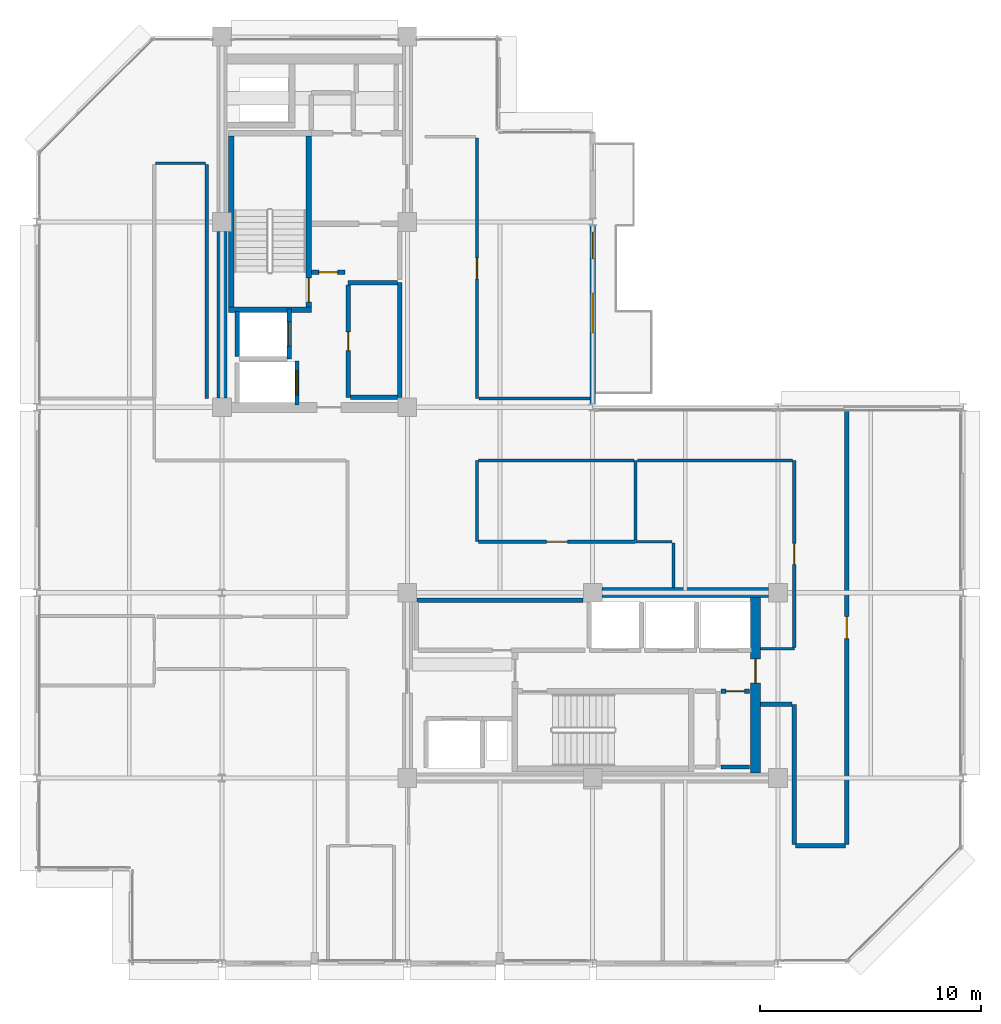
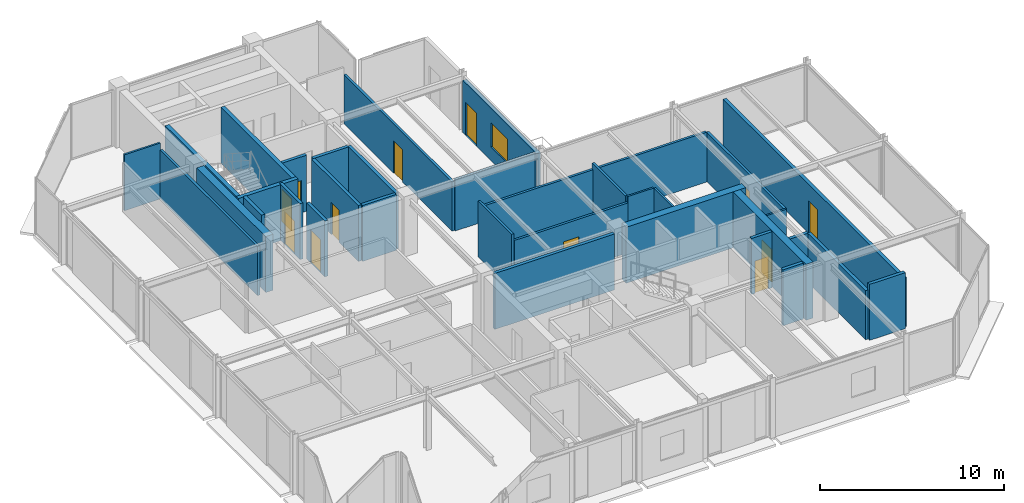
# One storey, part 22 of 27: 35 walls, 12 doors, 1 window, 13 openings.
"""IFC4 building model written with IfcOpenShell, lengths in metres."""

from ifc_helpers import new_model, si_unit, direction, frame, frame_2d, origin, place, context, subcontext, project, spatial, rectangle, extrude, material, layer, layer_set, type_object, element, fill, save


model = new_model("IFC4")

# Units and contexts
model_context = context("Model", 3, precision=1e-05, world=origin(), true_north=direction((0.0, 1.0)))
body_context = subcontext(model_context, "Body", "Model", "MODEL_VIEW")
ifc_project = project(units=[si_unit("LENGTHUNIT", "METRE"), si_unit("AREAUNIT", "SQUARE_METRE"), si_unit("VOLUMEUNIT", "CUBIC_METRE"), si_unit("PLANEANGLEUNIT", "RADIAN"), si_unit("MASSUNIT", "GRAM", prefix="KILO")], contexts=[model_context])

# Site, building, storey
site_placement = place(None, origin())
site = spatial("IfcSite", under=ifc_project, at=site_placement, CompositionType="ELEMENT")
building_placement = place(site_placement, origin())
building = spatial("IfcBuilding", under=site, at=building_placement, Name="Nerrivon Quay Data Exchange", CompositionType="ELEMENT")
storey_placement = place(building_placement, frame((0.0, 0.0, 266.199951171875)))
storey = spatial("IfcBuildingStorey", under=building, at=storey_placement, Name="L63", CompositionType="ELEMENT", Elevation=266.199951171875)

# Wall, openings, door, window
ifc_material_1 = material(Name="Architectural terracotta precast concrete N50 (50 MPa)", Category="masonry")
ifc_layer_1 = layer(ifc_material_1, 0.239990234375)
ifc_layer_set_1 = layer_set([ifc_layer_1], Name="Architectural terracotta precast concrete N50 (50 MPa)")
wall_type_1 = type_object("IfcWallType", Name="EW-PREC-240", PredefinedType="STANDARD", material=ifc_layer_set_1)
wall_1_placement = place(storey_placement, frame((25.199951171875, 33.4365234375, 0.0), z_axis=(0.0, 0.0, 1.0), x_axis=(0.0, -1.0, 0.0)))
wall_1 = element("IfcWall", 1, at=wall_1_placement, inside=storey, type_object=wall_type_1, Name="L63 Terrace Host Wall 23", PredefinedType="STANDARD", context=body_context, shape_type="SweptSolid", body=[
    extrude(rectangle(XDim=8.072998046875, YDim=0.239990234375, at=frame_2d((4.03662109375, 0.0))), origin(), (0.0, 0.0, 1.0), 3.47509765625),
])
opening_1_placement = place(wall_1_placement, frame((0.300048828125, 0.0, 0.0)))
opening_1 = element("IfcOpeningElement", 2, at=opening_1_placement, cuts=wall_1, Name="Opening TD1", PredefinedType="OPENING", context=body_context, shape_type="SweptSolid", body=[
    extrude(rectangle(XDim=1.199951171875, YDim=2.199951171875, at=frame_2d((0.60009765625, 1.10009765625))), frame((0.0, 0.1298828125, 0.0), z_axis=(0.0, -1.0, 0.0), x_axis=(1.0, 0.0, 0.0)), (0.0, 0.0, 1.0), 0.260009765625),
])
opening_2_placement = place(wall_1_placement, frame((3.064208984375, 0.0, 0.89990234375)))
opening_2 = element("IfcOpeningElement", 3, at=opening_2_placement, cuts=wall_1, Name="Opening WN2", PredefinedType="OPENING", context=body_context, shape_type="SweptSolid", body=[
    extrude(rectangle(XDim=1.800048828125, YDim=1.60009765625, at=frame_2d((0.89990234375, 0.800048828125))), frame((0.0, 0.1298828125, 0.0), z_axis=(0.0, -1.0, 0.0), x_axis=(1.0, 0.0, 0.0)), (0.0, 0.0, 1.0), 0.260009765625),
])
ifc_material_2 = material(Name="Double-glazed low-E solar control glass", Category="glass")
door_type_1 = type_object("IfcDoorType", Name="DR-TERR-1200x2200", OperationType="NOTDEFINED", PredefinedType="DOOR", material=ifc_material_2)
door_1_placement = place(opening_1_placement, origin())
door_1 = element("IfcDoor", 4, at=door_1_placement, inside=storey, type_object=door_type_1, Name="L63 Outdoor Terrace Access Door 23", OperationType="SINGLE_SWING_RIGHT", OverallHeight=2.199951171875, OverallWidth=1.199951171875, PredefinedType="DOOR", context=body_context, shape_type="SweptSolid", body=[
    extrude(rectangle(XDim=1.199951171875, YDim=2.199951171875, at=frame_2d((0.60009765625, 1.10009765625))), frame((0.0, 0.02490234375, 0.0), z_axis=(0.0, -1.0, 0.0), x_axis=(1.0, 0.0, 0.0)), (0.0, 0.0, 1.0), 0.050048828125),
])
fill(opening_1, door_1)
window_type = type_object("IfcWindowType", Name="WIN-W2-1800x1600", PartitioningType="SINGLE_PANEL", PredefinedType="WINDOW", material=ifc_material_2)
window_placement = place(opening_2_placement, origin())
window = element("IfcWindow", 5, at=window_placement, inside=storey, type_object=window_type, Name="L63 Terrace Side Window 23", OverallHeight=1.60009765625, OverallWidth=1.800048828125, PartitioningType="SINGLE_PANEL", PredefinedType="WINDOW", context=body_context, shape_type="SweptSolid", body=[
    extrude(rectangle(XDim=1.800048828125, YDim=1.60009765625, at=frame_2d((0.89990234375, 0.800048828125))), frame((0.0, 0.030029296875, 0.0), z_axis=(0.0, -1.0, 0.0), x_axis=(1.0, 0.0, 0.0)), (0.0, 0.0, 1.0), 0.06005859375),
])
fill(opening_2, window)

# Wall
ifc_material_3 = material(Name="Concrete N50 (50 MPa)", Category="concrete")
ifc_layer_2 = layer(ifc_material_3, 0.449951171875)
ifc_layer_set_2 = layer_set([ifc_layer_2], Name="Concrete N50 (50 MPa)")
wall_type_2 = type_object("IfcWallType", Name="WALL-CW-550", PredefinedType="SHEAR", material=ifc_layer_set_2)
wall_2_placement = place(storey_placement, frame((8.39990234375, 25.625, 0.0), z_axis=(0.0, 0.0, 1.0), x_axis=(0.0, 1.0, 0.0)))
element("IfcWall", 6, at=wall_2_placement, inside=storey, type_object=wall_type_2, Name="L63 West Split-Core Shear Wall WCW-W1", PredefinedType="SHEAR", context=body_context, shape_type="SweptSolid", body=[
    extrude(rectangle(XDim=7.550048828125, YDim=0.449951171875, at=frame_2d((3.77490234375, 0.0))), origin(), (0.0, 0.0, 1.0), 3.72509765625),
])

# Wall, opening, door
wall_3_placement = place(storey_placement, frame((32.574951171875, 8.625, 0.0), z_axis=(0.0, 0.0, 1.0), x_axis=(0.0, 1.0, 0.0)))
wall_3 = element("IfcWall", 7, at=wall_3_placement, inside=storey, type_object=wall_type_2, Name="L63 East Split-Core Shear Wall ECW-E1", PredefinedType="SHEAR", context=body_context, shape_type="SweptSolid", body=[
    extrude(rectangle(XDim=7.949951171875, YDim=0.449951171875, at=frame_2d((3.97509765625, 0.0))), origin(), (0.0, 0.0, 1.0), 3.72509765625),
])
opening_3_placement = place(wall_3_placement, frame((4.074951171875, 0.0, 0.0)))
opening_3 = element("IfcOpeningElement", 8, at=opening_3_placement, cuts=wall_3, Name="Opening FD-120", PredefinedType="OPENING", context=body_context, shape_type="SweptSolid", body=[
    extrude(rectangle(XDim=1.10009765625, YDim=2.14990234375, at=frame_2d((0.550048828125, 1.074951171875))), frame((0.0, 0.23486328125, 0.0), z_axis=(0.0, -1.0, 0.0), x_axis=(1.0, 0.0, 0.0)), (0.0, 0.0, 1.0), 0.469970703125),
])
ifc_material_4 = material(Name="Powder-coated galvanized steel sheet", Category="steel")
door_type_2 = type_object("IfcDoorType", Name="DR-FD120-1100", OperationType="NOTDEFINED", PredefinedType="DOOR", material=ifc_material_4)
door_2_placement = place(opening_3_placement, origin())
door_2 = element("IfcDoor", 9, at=door_2_placement, inside=storey, type_object=door_type_2, Name="L63 East Core Lobby Fire Door", OperationType="SINGLE_SWING_LEFT", OverallHeight=2.14990234375, OverallWidth=1.10009765625, PredefinedType="DOOR", context=body_context, shape_type="SweptSolid", body=[
    extrude(rectangle(XDim=1.10009765625, YDim=2.14990234375, at=frame_2d((0.550048828125, 1.074951171875))), frame((0.0, 0.02490234375, 0.0), z_axis=(0.0, -1.0, 0.0), x_axis=(1.0, 0.0, 0.0)), (0.0, 0.0, 1.0), 0.050048828125),
])
fill(opening_3, door_2)

# Wall
wall_4_placement = place(storey_placement, frame((25.625, 16.800048828125, 0.0), z_axis=(0.0, 0.0, 1.0), x_axis=(1.0, 0.0, 0.0)))
element("IfcWall", 10, at=wall_4_placement, inside=storey, type_object=wall_type_2, Name="L63 East Split-Core Shear Wall ECW-N1", PredefinedType="SHEAR", context=body_context, shape_type="SweptSolid", body=[
    extrude(rectangle(XDim=7.550048828125, YDim=0.449951171875, at=frame_2d((3.77490234375, 0.0))), origin(), (0.0, 0.0, 1.0), 3.72509765625),
])

# Wall, opening, door
ifc_material_5 = material(Name="Gypsum plasterboard on cold-formed framing", Category="gypsum")
ifc_layer_3 = layer(ifc_material_5, 0.199951171875)
ifc_layer_set_3 = layer_set([ifc_layer_3], Name="Gypsum plasterboard on cold-formed framing")
wall_type_3 = type_object("IfcWallType", Name="WALL-FW-200", PredefinedType="PARTITIONING", material=ifc_layer_set_3)
wall_5_placement = place(storey_placement, frame((11.449951171875, 27.39990234375, 0.0), z_axis=(0.0, 0.0, 1.0), x_axis=(0.0, 1.0, 0.0)))
wall_5 = element("IfcWall", 11, at=wall_5_placement, inside=storey, type_object=wall_type_3, Name="L63 Lift Front Wall FFL-1", PredefinedType="PARTITIONING", context=body_context, shape_type="SweptSolid", body=[
    extrude(rectangle(XDim=2.25, YDim=0.199951171875, at=frame_2d((1.125, 0.0))), origin(), (0.0, 0.0, 1.0), 3.72509765625),
])
opening_4_placement = place(wall_5_placement, frame((0.574951171875, 0.0, 0.0)))
opening_4 = element("IfcOpeningElement", 12, at=opening_4_placement, cuts=wall_5, Name="Opening LD-120", PredefinedType="OPENING", context=body_context, shape_type="SweptSolid", body=[
    extrude(rectangle(XDim=1.10009765625, YDim=2.199951171875, at=frame_2d((0.550048828125, 1.10009765625))), frame((0.0, 0.10986328125, 0.0), z_axis=(0.0, -1.0, 0.0), x_axis=(1.0, 0.0, 0.0)), (0.0, 0.0, 1.0), 0.219970703125),
])
door_type_3 = type_object("IfcDoorType", Name="DR-LIFT-LD120", OperationType="DOUBLE_DOOR_SLIDING", PredefinedType="DOOR", material=ifc_material_4)
door_3_placement = place(opening_4_placement, origin())
door_3 = element("IfcDoor", 13, at=door_3_placement, inside=storey, type_object=door_type_3, Name="L63 Lift Landing Sliding Door FFL-1", OperationType="DOUBLE_DOOR_SLIDING", OverallHeight=2.199951171875, OverallWidth=1.10009765625, PredefinedType="DOOR", context=body_context, shape_type="SweptSolid", body=[
    extrude(rectangle(XDim=1.10009765625, YDim=2.199951171875, at=frame_2d((0.550048828125, 1.10009765625))), frame((0.0, 0.02490234375, 0.0), z_axis=(0.0, -1.0, 0.0), x_axis=(1.0, 0.0, 0.0)), (0.0, 0.0, 1.0), 0.050048828125),
])
fill(opening_4, door_3)

# Wall
wall_6_placement = place(storey_placement, frame((9.10009765625, 27.5, 0.0), z_axis=(0.0, 0.0, 1.0), x_axis=(0.0, 1.0, 0.0)))
element("IfcWall", 14, at=wall_6_placement, inside=storey, type_object=wall_type_3, Name="L63 Lift Shaft Wall FFL-1 WEST", PredefinedType="PARTITIONING", context=body_context, shape_type="SweptSolid", body=[
    extrude(rectangle(XDim=2.050048828125, YDim=0.199951171875, at=frame_2d((1.02490234375, 0.0))), origin(), (0.0, 0.0, 1.0), 3.72509765625),
])

# Wall, opening, door
wall_7_placement = place(storey_placement, frame((11.800048828125, 25.300048828125, 0.0), z_axis=(0.0, 0.0, 1.0), x_axis=(0.0, 1.0, 0.0)))
wall_7 = element("IfcWall", 15, at=wall_7_placement, inside=storey, type_object=wall_type_3, Name="L63 Lift Front Wall SVL-1", PredefinedType="PARTITIONING", context=body_context, shape_type="SweptSolid", body=[
    extrude(rectangle(XDim=2.0, YDim=0.199951171875, at=frame_2d((1.0, 0.0))), origin(), (0.0, 0.0, 1.0), 3.72509765625),
])
opening_5_placement = place(wall_7_placement, frame((0.449951171875, 0.0, 0.0)))
opening_5 = element("IfcOpeningElement", 16, at=opening_5_placement, cuts=wall_7, Name="Opening LD-120", PredefinedType="OPENING", context=body_context, shape_type="SweptSolid", body=[
    extrude(rectangle(XDim=1.10009765625, YDim=2.199951171875, at=frame_2d((0.550048828125, 1.10009765625))), frame((0.0, 0.10986328125, 0.0), z_axis=(0.0, -1.0, 0.0), x_axis=(1.0, 0.0, 0.0)), (0.0, 0.0, 1.0), 0.219970703125),
])
door_4_placement = place(opening_5_placement, origin())
door_4 = element("IfcDoor", 17, at=door_4_placement, inside=storey, type_object=door_type_3, Name="L63 Lift Landing Sliding Door SVL-1", OperationType="DOUBLE_DOOR_SLIDING", OverallHeight=2.199951171875, OverallWidth=1.10009765625, PredefinedType="DOOR", context=body_context, shape_type="SweptSolid", body=[
    extrude(rectangle(XDim=1.10009765625, YDim=2.199951171875, at=frame_2d((0.550048828125, 1.10009765625))), frame((0.0, 0.02490234375, 0.0), z_axis=(0.0, -1.0, 0.0), x_axis=(1.0, 0.0, 0.0)), (0.0, 0.0, 1.0), 0.050048828125),
])
fill(opening_5, door_4)

# Walls
wall_8_placement = place(storey_placement, frame((16.449951171875, 25.64990234375, 0.0), z_axis=(0.0, 0.0, 1.0), x_axis=(0.0, 1.0, 0.0)))
element("IfcWall", 18, at=wall_8_placement, inside=storey, type_object=wall_type_3, Name="L63 Partition Fibre Patch Store", PredefinedType="PARTITIONING", context=body_context, shape_type="SweptSolid", body=[
    extrude(rectangle(XDim=5.2001953125, YDim=0.199951171875, at=frame_2d((2.60009765625, 0.0))), origin(), (0.0, 0.0, 1.0), 3.72509765625),
])
wall_9_placement = place(storey_placement, frame((16.345947265625, 30.85009765625, 0.0), z_axis=(0.0, 0.0, 1.0), x_axis=(-1.0, 0.0, 0.0)))
element("IfcWall", 19, at=wall_9_placement, inside=storey, type_object=wall_type_3, Name="L63 Partition Fibre Patch Store", PredefinedType="PARTITIONING", context=body_context, shape_type="SweptSolid", body=[
    extrude(rectangle(XDim=2.225830078125, YDim=0.199951171875, at=frame_2d((1.11279296875, 0.0))), origin(), (0.0, 0.0, 1.0), 3.72509765625),
])

# Wall, opening, door
wall_10_placement = place(storey_placement, frame((14.1201171875, 30.74609375, 0.0), z_axis=(0.0, 0.0, 1.0), x_axis=(0.0, -1.0, 0.0)))
wall_10 = element("IfcWall", 20, at=wall_10_placement, inside=storey, type_object=wall_type_3, Name="L63 Partition Fibre Patch Store", PredefinedType="PARTITIONING", context=body_context, shape_type="SweptSolid", body=[
    extrude(rectangle(XDim=5.09619140625, YDim=0.199951171875, at=frame_2d((2.548095703125, 0.0))), origin(), (0.0, 0.0, 1.0), 3.72509765625),
])
opening_6_placement = place(wall_10_placement, frame((2.123046875, 0.0, 0.0)))
opening_6 = element("IfcOpeningElement", 21, at=opening_6_placement, cuts=wall_10, Name="Opening FD-60S", PredefinedType="OPENING", context=body_context, shape_type="SweptSolid", body=[
    extrude(rectangle(XDim=0.85009765625, YDim=2.14990234375, at=frame_2d((0.425048828125, 1.074951171875))), frame((0.0, 0.10986328125, 0.0), z_axis=(0.0, -1.0, 0.0), x_axis=(1.0, 0.0, 0.0)), (0.0, 0.0, 1.0), 0.219970703125),
])
ifc_material_6 = material(Name="Engineered hardwood timber", Category="wood")
door_type_4 = type_object("IfcDoorType", Name="DR-FD60-850", OperationType="NOTDEFINED", PredefinedType="DOOR", material=ifc_material_6)
door_5_placement = place(opening_6_placement, origin())
door_5 = element("IfcDoor", 22, at=door_5_placement, inside=storey, type_object=door_type_4, Name="L63 Door Fibre Patch Store", OperationType="SINGLE_SWING_LEFT", OverallHeight=2.14990234375, OverallWidth=0.85009765625, PredefinedType="DOOR", context=body_context, shape_type="SweptSolid", body=[
    extrude(rectangle(XDim=0.85009765625, YDim=2.14990234375, at=frame_2d((0.425048828125, 1.074951171875))), frame((0.0, 0.02490234375, 0.0), z_axis=(0.0, -1.0, 0.0), x_axis=(1.0, 0.0, 0.0)), (0.0, 0.0, 1.0), 0.050048828125),
])
fill(opening_6, door_5)

# Wall
wall_11_placement = place(storey_placement, frame((14.22412109375, 25.64990234375, 0.0), z_axis=(0.0, 0.0, 1.0), x_axis=(1.0, 0.0, 0.0)))
element("IfcWall", 23, at=wall_11_placement, inside=storey, type_object=wall_type_3, Name="L63 Partition Fibre Patch Store", PredefinedType="PARTITIONING", context=body_context, shape_type="SweptSolid", body=[
    extrude(rectangle(XDim=2.121826171875, YDim=0.199951171875, at=frame_2d((1.06103515625, 0.0))), origin(), (0.0, 0.0, 1.0), 3.72509765625),
])

# Wall, opening, door
wall_12_placement = place(storey_placement, frame((12.4541015625, 31.320068359375, 0.0), z_axis=(0.0, 0.0, 1.0), x_axis=(0.999999949061, -0.000319182876, 0.0)))
wall_12 = element("IfcWall", 24, at=wall_12_placement, inside=storey, type_object=wall_type_3, Name="L63 Partition Core Equipment Closet", PredefinedType="PARTITIONING", context=body_context, shape_type="SweptSolid", body=[
    extrude(rectangle(XDim=1.52978515625, YDim=0.199951171875, at=frame_2d((0.764892578125, 0.0))), origin(), (0.0, 0.0, 1.0), 3.72509765625),
])
opening_7_placement = place(wall_12_placement, frame((0.340087890625, 0.0, 0.0)))
opening_7 = element("IfcOpeningElement", 25, at=opening_7_placement, cuts=wall_12, Name="Opening FD-60S", PredefinedType="OPENING", context=body_context, shape_type="SweptSolid", body=[
    extrude(rectangle(XDim=0.85009765625, YDim=2.14990234375, at=frame_2d((0.425048828125, 1.074951171875))), frame((0.0, 0.10986328125, 0.0), z_axis=(0.0, -1.0, 0.0), x_axis=(1.0, 0.0, 0.0)), (0.0, 0.0, 1.0), 0.219970703125),
])
door_6_placement = place(opening_7_placement, origin())
door_6 = element("IfcDoor", 26, at=door_6_placement, inside=storey, type_object=door_type_4, Name="L63 Door Core Equipment Closet", OperationType="SINGLE_SWING_RIGHT", OverallHeight=2.14990234375, OverallWidth=0.85009765625, PredefinedType="DOOR", context=body_context, shape_type="SweptSolid", body=[
    extrude(rectangle(XDim=0.85009765625, YDim=2.14990234375, at=frame_2d((0.425048828125, 1.074951171875))), frame((0.0, 0.02490234375, 0.0), z_axis=(0.0, -1.0, 0.0), x_axis=(1.0, 0.0, 0.0)), (0.0, 0.0, 1.0), 0.050048828125),
])
fill(opening_7, door_6)

# Wall
wall_13_placement = place(storey_placement, frame((24.77001953125, 16.449951171875, 0.0), z_axis=(0.0, 0.0, 1.0), x_axis=(-1.0, 0.0, 0.0)))
element("IfcWall", 27, at=wall_13_placement, inside=storey, type_object=wall_type_3, Name="L63 Partition High-Zone Patching Archive", PredefinedType="PARTITIONING", context=body_context, shape_type="SweptSolid", body=[
    extrude(rectangle(XDim=7.5400390625, YDim=0.199951171875, at=frame_2d((3.77001953125, 0.0))), origin(), (0.0, 0.0, 1.0), 3.72509765625),
])

# Wall, opening, door
wall_14_placement = place(storey_placement, frame((32.300048828125, 12.330078125, 0.0), z_axis=(0.0, 0.0, 1.0), x_axis=(-1.0, 0.0, 0.0)))
wall_14 = element("IfcWall", 28, at=wall_14_placement, inside=storey, type_object=wall_type_3, Name="L63 Partition East Cleaners Store", PredefinedType="PARTITIONING", context=body_context, shape_type="SweptSolid", body=[
    extrude(rectangle(XDim=1.280029296875, YDim=0.199951171875, at=frame_2d((0.64013671875, 0.0))), origin(), (0.0, 0.0, 1.0), 3.72509765625),
])
opening_8_placement = place(wall_14_placement, frame((0.215087890625, 0.0, 0.0)))
opening_8 = element("IfcOpeningElement", 29, at=opening_8_placement, cuts=wall_14, Name="Opening FD-60S", PredefinedType="OPENING", context=body_context, shape_type="SweptSolid", body=[
    extrude(rectangle(XDim=0.85009765625, YDim=2.14990234375, at=frame_2d((0.425048828125, 1.074951171875))), frame((0.0, 0.10986328125, 0.0), z_axis=(0.0, -1.0, 0.0), x_axis=(1.0, 0.0, 0.0)), (0.0, 0.0, 1.0), 0.219970703125),
])
door_7_placement = place(opening_8_placement, origin())
door_7 = element("IfcDoor", 30, at=door_7_placement, inside=storey, type_object=door_type_4, Name="L63 Door East Cleaners Store", OperationType="SINGLE_SWING_LEFT", OverallHeight=2.14990234375, OverallWidth=0.85009765625, PredefinedType="DOOR", context=body_context, shape_type="SweptSolid", body=[
    extrude(rectangle(XDim=0.85009765625, YDim=2.14990234375, at=frame_2d((0.425048828125, 1.074951171875))), frame((0.0, 0.02490234375, 0.0), z_axis=(0.0, -1.0, 0.0), x_axis=(1.0, 0.0, 0.0)), (0.0, 0.0, 1.0), 0.050048828125),
])
fill(opening_8, door_7)

# Wall
wall_15_placement = place(storey_placement, frame((31.02001953125, 8.89990234375, 0.0), z_axis=(0.0, 0.0, 1.0), x_axis=(1.0, 0.0, 0.0)))
element("IfcWall", 31, at=wall_15_placement, inside=storey, type_object=wall_type_3, Name="L63 Partition East Cleaners Store", PredefinedType="PARTITIONING", context=body_context, shape_type="SweptSolid", body=[
    extrude(rectangle(XDim=1.280029296875, YDim=0.199951171875, at=frame_2d((0.64013671875, 0.0))), origin(), (0.0, 0.0, 1.0), 3.72509765625),
])

# Wall, opening, door
wall_16_placement = place(storey_placement, frame((36.7099609375, 25.031005859375, 0.0), z_axis=(0.0, 0.0, 1.0), x_axis=(0.0, -1.0, 0.0)))
wall_16 = element("IfcWall", 32, at=wall_16_placement, inside=storey, type_object=wall_type_3, Name="L63 Partition Colocation Data Workspace 1", PredefinedType="PARTITIONING", context=body_context, shape_type="SweptSolid", body=[
    extrude(rectangle(XDim=19.631103515625, YDim=0.199951171875, at=frame_2d((9.8154296875, 0.0))), origin(), (0.0, 0.0, 1.0), 3.27099609375),
])
opening_9_placement = place(wall_16_placement, frame((9.3154296875, 0.0, 0.0)))
opening_9 = element("IfcOpeningElement", 33, at=opening_9_placement, cuts=wall_16, Name="Opening FD-60", PredefinedType="OPENING", context=body_context, shape_type="SweptSolid", body=[
    extrude(rectangle(XDim=1.0, YDim=2.14990234375, at=frame_2d((0.5, 1.074951171875))), frame((0.0, 0.10986328125, 0.0), z_axis=(0.0, -1.0, 0.0), x_axis=(1.0, 0.0, 0.0)), (0.0, 0.0, 1.0), 0.219970703125),
])
door_type_5 = type_object("IfcDoorType", Name="DR-FD60-1000", OperationType="NOTDEFINED", PredefinedType="DOOR", material=ifc_material_6)
door_8_placement = place(opening_9_placement, origin())
door_8 = element("IfcDoor", 34, at=door_8_placement, inside=storey, type_object=door_type_5, Name="L63 Door Colocation Data Workspace 1", OperationType="SINGLE_SWING_RIGHT", OverallHeight=2.14990234375, OverallWidth=1.0, PredefinedType="DOOR", context=body_context, shape_type="SweptSolid", body=[
    extrude(rectangle(XDim=1.0, YDim=2.14990234375, at=frame_2d((0.5, 1.074951171875))), frame((0.0, 0.02490234375, 0.0), z_axis=(0.0, -1.0, 0.0), x_axis=(1.0, 0.0, 0.0)), (0.0, 0.0, 1.0), 0.050048828125),
])
fill(opening_9, door_8)

# Walls
wall_17_placement = place(storey_placement, frame((36.64990234375, 5.340087890625, 0.0), z_axis=(0.0, 0.0, 1.0), x_axis=(-1.0, 0.0, 0.0)))
element("IfcWall", 35, at=wall_17_placement, inside=storey, type_object=wall_type_3, Name="L63 Partition Colocation Data Workspace 1", PredefinedType="PARTITIONING", context=body_context, shape_type="SweptSolid", body=[
    extrude(rectangle(XDim=2.25, YDim=0.199951171875, at=frame_2d((1.125, 0.0))), origin(), (0.0, 0.0, 1.0), 3.72509765625),
])
wall_18_placement = place(storey_placement, frame((34.340087890625, 5.39990234375, 0.0), z_axis=(0.0, 0.0, 1.0), x_axis=(0.0, 1.0, 0.0)))
element("IfcWall", 36, at=wall_18_placement, inside=storey, type_object=wall_type_3, Name="L63 Partition Colocation Data Workspace 1", PredefinedType="PARTITIONING", context=body_context, shape_type="SweptSolid", body=[
    extrude(rectangle(XDim=6.340087890625, YDim=0.199951171875, at=frame_2d((3.169921875, 0.0))), origin(), (0.0, 0.0, 1.0), 3.27099609375),
])
wall_19_placement = place(storey_placement, frame((34.236083984375, 11.739990234375, 0.0), z_axis=(0.0, 0.0, 1.0), x_axis=(-1.0, 0.0, 0.0)))
element("IfcWall", 37, at=wall_19_placement, inside=storey, type_object=wall_type_3, Name="L63 Partition Colocation Data Workspace 1", PredefinedType="PARTITIONING", context=body_context, shape_type="SweptSolid", body=[
    extrude(rectangle(XDim=1.43212890625, YDim=0.199951171875, at=frame_2d((0.716064453125, 0.0))), origin(), (0.0, 0.0, 1.0), 3.319091796875),
])
ifc_layer_4 = layer(ifc_material_5, 0.1201171875)
ifc_layer_set_4 = layer_set([ifc_layer_4], Name="Gypsum plasterboard on cold-formed framing")
wall_type_4 = type_object("IfcWallType", Name="WALL-PT-120", PredefinedType="PARTITIONING", material=ifc_layer_set_4)
wall_20_placement = place(storey_placement, frame((28.860107421875, 19.050048828125, 0.0), z_axis=(0.0, 0.0, 1.0), x_axis=(0.0, -1.0, 0.0)))
element("IfcWall", 38, at=wall_20_placement, inside=storey, type_object=wall_type_4, Name="L63 Partition Network Security Control", PredefinedType="PARTITIONING", context=body_context, shape_type="SweptSolid", body=[
    extrude(rectangle(XDim=2.02099609375, YDim=0.1201171875, at=frame_2d((1.010498046875, 0.0))), origin(), (0.0, 0.0, 1.0), 3.72509765625),
])
wall_21_placement = place(storey_placement, frame((32.803955078125, 14.260009765625, 0.0), z_axis=(0.0, 0.0, 1.0), x_axis=(1.0, 0.0, 0.0)))
element("IfcWall", 39, at=wall_21_placement, inside=storey, type_object=wall_type_4, Name="L63 Partition Network Security Control", PredefinedType="PARTITIONING", context=body_context, shape_type="SweptSolid", body=[
    extrude(rectangle(XDim=1.5361328125, YDim=0.1201171875, at=frame_2d((0.76806640625, 0.0))), origin(), (0.0, 0.0, 1.0), 3.319091796875),
])
wall_22_placement = place(storey_placement, frame((27.169921875, 19.110107421875, 0.0), z_axis=(0.0, 0.0, 1.0), x_axis=(1.0, 0.0, 0.0)))
element("IfcWall", 40, at=wall_22_placement, inside=storey, type_object=wall_type_4, Name="L63 Partition Network Security Control", PredefinedType="PARTITIONING", context=body_context, shape_type="SweptSolid", body=[
    extrude(rectangle(XDim=1.630126953125, YDim=0.1201171875, at=frame_2d((0.81494140625, 0.0))), origin(), (0.0, 0.0, 1.0), 3.72509765625),
])
wall_23_placement = place(storey_placement, frame((5.39990234375, 36.260009765625, 0.0), z_axis=(0.0, 0.0, 1.0), x_axis=(1.0, 0.0, 0.0)))
element("IfcWall", 41, at=wall_23_placement, inside=storey, type_object=wall_type_4, Name="L63 Partition Technical Library", PredefinedType="PARTITIONING", context=body_context, shape_type="SweptSolid", body=[
    extrude(rectangle(XDim=2.25, YDim=0.1201171875, at=frame_2d((1.125, 0.0))), origin(), (0.0, 0.0, 1.0), 3.72509765625),
])
ifc_layer_5 = layer(ifc_material_5, 0.135009765625)
ifc_layer_set_5 = layer_set([ifc_layer_5], Name="Gypsum plasterboard on cold-formed framing")
wall_type_5 = type_object("IfcWallType", Name="WALL-PT-135", PredefinedType="PARTITIONING", material=ifc_layer_set_5)
wall_24_placement = place(storey_placement, frame((19.9599609375, 22.7900390625, 0.0), z_axis=(0.0, 0.0, 1.0), x_axis=(0.0, -1.0, 0.0)))
element("IfcWall", 42, at=wall_24_placement, inside=storey, type_object=wall_type_5, Name="L63 Partition Staff Pantry", PredefinedType="PARTITIONING", context=body_context, shape_type="SweptSolid", body=[
    extrude(rectangle(XDim=3.679931640625, YDim=0.135009765625, at=frame_2d((1.83984375, 0.0))), origin(), (0.0, 0.0, 1.0), 3.72509765625),
])
wall_25_placement = place(storey_placement, frame((27.14990234375, 19.18896484375, 0.0), z_axis=(0.0, 0.0, 1.0), x_axis=(0.0, 1.0, 0.0)))
element("IfcWall", 43, at=wall_25_placement, inside=storey, type_object=wall_type_5, Name="L63 Partition Staff Pantry", PredefinedType="PARTITIONING", context=body_context, shape_type="SweptSolid", body=[
    extrude(rectangle(XDim=3.60107421875, YDim=0.135009765625, at=frame_2d((1.800537109375, 0.0))), origin(), (0.0, 0.0, 1.0), 3.72509765625),
])
wall_26_placement = place(storey_placement, frame((20.0390625, 25.597900390625, 0.0), z_axis=(0.0, 0.0, 1.0), x_axis=(1.0, 0.0, 0.0)))
element("IfcWall", 44, at=wall_26_placement, inside=storey, type_object=wall_type_5, Name="L63 Partition Technical Library", PredefinedType="PARTITIONING", context=body_context, shape_type="SweptSolid", body=[
    extrude(rectangle(XDim=5.036865234375, YDim=0.135009765625, at=frame_2d((2.5185546875, 0.0))), origin(), (0.0, 0.0, 1.0), 3.421142578125),
])

# Wall, opening, door
ifc_layer_6 = layer(ifc_material_5, 0.14990234375)
ifc_layer_set_6 = layer_set([ifc_layer_6], Name="Gypsum plasterboard on cold-formed framing")
wall_type_6 = type_object("IfcWallType", Name="WALL-PT-150", PredefinedType="PARTITIONING", material=ifc_layer_set_6)
wall_27_placement = place(storey_placement, frame((20.031494140625, 19.110107421875, 0.0), z_axis=(0.0, 0.0, 1.0), x_axis=(1.0, 0.0, 0.0)))
wall_27 = element("IfcWall", 45, at=wall_27_placement, inside=storey, type_object=wall_type_6, Name="L63 Partition Staff Pantry", PredefinedType="PARTITIONING", context=body_context, shape_type="SweptSolid", body=[
    extrude(rectangle(XDim=7.118408203125, YDim=0.14990234375, at=frame_2d((3.55908203125, 0.0))), origin(), (0.0, 0.0, 1.0), 3.319091796875),
])
opening_10_placement = place(wall_27_placement, frame((3.084228515625, 0.0, 0.0)))
opening_10 = element("IfcOpeningElement", 46, at=opening_10_placement, cuts=wall_27, Name="Opening D-01", PredefinedType="OPENING", context=body_context, shape_type="SweptSolid", body=[
    extrude(rectangle(XDim=0.949951171875, YDim=2.14990234375, at=frame_2d((0.47509765625, 1.074951171875))), frame((0.0, 0.0849609375, 0.0), z_axis=(0.0, -1.0, 0.0), x_axis=(1.0, 0.0, 0.0)), (0.0, 0.0, 1.0), 0.169921875),
])
door_type_6 = type_object("IfcDoorType", Name="DR-INT-950", OperationType="NOTDEFINED", PredefinedType="DOOR", material=ifc_material_6)
door_9_placement = place(opening_10_placement, origin())
door_9 = element("IfcDoor", 47, at=door_9_placement, inside=storey, type_object=door_type_6, Name="L63 Door Staff Pantry", OperationType="SINGLE_SWING_RIGHT", OverallHeight=2.14990234375, OverallWidth=0.949951171875, PredefinedType="DOOR", context=body_context, shape_type="SweptSolid", body=[
    extrude(rectangle(XDim=0.949951171875, YDim=2.14990234375, at=frame_2d((0.47509765625, 1.074951171875))), frame((0.0, 0.02490234375, 0.0), z_axis=(0.0, -1.0, 0.0), x_axis=(1.0, 0.0, 0.0)), (0.0, 0.0, 1.0), 0.050048828125),
])
fill(opening_10, door_9)

# Wall
wall_28_placement = place(storey_placement, frame((27.07861328125, 22.7900390625, 0.0), z_axis=(0.0, 0.0, 1.0), x_axis=(-1.0, 0.0, 0.0)))
element("IfcWall", 48, at=wall_28_placement, inside=storey, type_object=wall_type_6, Name="L63 Partition Staff Pantry", PredefinedType="PARTITIONING", context=body_context, shape_type="SweptSolid", body=[
    extrude(rectangle(XDim=7.047119140625, YDim=0.14990234375, at=frame_2d((3.5234375, 0.0))), origin(), (0.0, 0.0, 1.0), 3.319091796875),
])

# Wall, opening, door
wall_29_placement = place(storey_placement, frame((34.340087890625, 14.323974609375, 0.0), z_axis=(0.0, 0.0, 1.0), x_axis=(0.0, 1.0, 0.0)))
wall_29 = element("IfcWall", 49, at=wall_29_placement, inside=storey, type_object=wall_type_6, Name="L63 Partition Network Security Control", PredefinedType="PARTITIONING", context=body_context, shape_type="SweptSolid", body=[
    extrude(rectangle(XDim=8.466064453125, YDim=0.14990234375, at=frame_2d((4.23291015625, 0.0))), origin(), (0.0, 0.0, 1.0), 3.27099609375),
])
opening_11_placement = place(wall_29_placement, frame((3.758056640625, 0.0, 0.0)))
opening_11 = element("IfcOpeningElement", 50, at=opening_11_placement, cuts=wall_29, Name="Opening D-01", PredefinedType="OPENING", context=body_context, shape_type="SweptSolid", body=[
    extrude(rectangle(XDim=0.949951171875, YDim=2.14990234375, at=frame_2d((0.47509765625, 1.074951171875))), frame((0.0, 0.0849609375, 0.0), z_axis=(0.0, -1.0, 0.0), x_axis=(1.0, 0.0, 0.0)), (0.0, 0.0, 1.0), 0.169921875),
])
door_10_placement = place(opening_11_placement, origin())
door_10 = element("IfcDoor", 51, at=door_10_placement, inside=storey, type_object=door_type_6, Name="L63 Door Network Security Control", OperationType="SINGLE_SWING_LEFT", OverallHeight=2.14990234375, OverallWidth=0.949951171875, PredefinedType="DOOR", context=body_context, shape_type="SweptSolid", body=[
    extrude(rectangle(XDim=0.949951171875, YDim=2.14990234375, at=frame_2d((0.47509765625, 1.074951171875))), frame((0.0, 0.02490234375, 0.0), z_axis=(0.0, -1.0, 0.0), x_axis=(1.0, 0.0, 0.0)), (0.0, 0.0, 1.0), 0.050048828125),
])
fill(opening_11, door_10)

# Wall
wall_30_placement = place(storey_placement, frame((34.260986328125, 22.7900390625, 0.0), z_axis=(0.0, 0.0, 1.0), x_axis=(-1.0, 0.0, 0.0)))
element("IfcWall", 52, at=wall_30_placement, inside=storey, type_object=wall_type_6, Name="L63 Partition Network Security Control", PredefinedType="PARTITIONING", context=body_context, shape_type="SweptSolid", body=[
    extrude(rectangle(XDim=7.03955078125, YDim=0.14990234375, at=frame_2d((3.519775390625, 0.0))), origin(), (0.0, 0.0, 1.0), 3.319091796875),
])

# Wall, opening, door
wall_31_placement = place(storey_placement, frame((19.9599609375, 37.39990234375, 0.0), z_axis=(0.0, 0.0, 1.0), x_axis=(0.0, -1.0, 0.0)))
wall_31 = element("IfcWall", 53, at=wall_31_placement, inside=storey, type_object=wall_type_6, Name="L63 Partition Technical Library", PredefinedType="PARTITIONING", context=body_context, shape_type="SweptSolid", body=[
    extrude(rectangle(XDim=11.802001953125, YDim=0.14990234375, at=frame_2d((5.90087890625, 0.0))), origin(), (0.0, 0.0, 1.0), 3.27099609375),
])
opening_12_placement = place(wall_31_placement, frame((5.426025390625, 0.0, 0.0)))
opening_12 = element("IfcOpeningElement", 54, at=opening_12_placement, cuts=wall_31, Name="Opening D-01", PredefinedType="OPENING", context=body_context, shape_type="SweptSolid", body=[
    extrude(rectangle(XDim=0.949951171875, YDim=2.14990234375, at=frame_2d((0.47509765625, 1.074951171875))), frame((0.0, 0.0849609375, 0.0), z_axis=(0.0, -1.0, 0.0), x_axis=(1.0, 0.0, 0.0)), (0.0, 0.0, 1.0), 0.169921875),
])
door_11_placement = place(opening_12_placement, origin())
door_11 = element("IfcDoor", 55, at=door_11_placement, inside=storey, type_object=door_type_6, Name="L63 Door Technical Library", OperationType="SINGLE_SWING_LEFT", OverallHeight=2.14990234375, OverallWidth=0.949951171875, PredefinedType="DOOR", context=body_context, shape_type="SweptSolid", body=[
    extrude(rectangle(XDim=0.949951171875, YDim=2.14990234375, at=frame_2d((0.47509765625, 1.074951171875))), frame((0.0, 0.02490234375, 0.0), z_axis=(0.0, -1.0, 0.0), x_axis=(1.0, 0.0, 0.0)), (0.0, 0.0, 1.0), 0.050048828125),
])
fill(opening_12, door_11)

# Walls
wall_32_placement = place(storey_placement, frame((7.7099609375, 36.199951171875, 0.0), z_axis=(0.0, 0.0, 1.0), x_axis=(0.0, -1.0, 0.0)))
element("IfcWall", 56, at=wall_32_placement, inside=storey, type_object=wall_type_6, Name="L63 Partition Technical Library", PredefinedType="PARTITIONING", context=body_context, shape_type="SweptSolid", body=[
    extrude(rectangle(XDim=10.60205078125, YDim=0.14990234375, at=frame_2d((5.301025390625, 0.0))), origin(), (0.0, 0.0, 1.0), 3.27099609375),
])
ifc_layer_7 = layer(ifc_material_3, 0.25)
ifc_layer_set_7 = layer_set([ifc_layer_7], Name="Concrete N50 (50 MPa)")
wall_type_7 = type_object("IfcWallType", Name="WALL-SW-250", PredefinedType="SHEAR", material=ifc_layer_set_7)
wall_33_placement = place(storey_placement, frame((12.449951171875, 29.625, 0.0), z_axis=(0.0, 0.0, 1.0), x_axis=(-1.0, 0.0, 0.0)))
element("IfcWall", 57, at=wall_33_placement, inside=storey, type_object=wall_type_7, Name="L63 ST01 Structural Stair Core Wall NEAR", PredefinedType="SHEAR", context=body_context, shape_type="SweptSolid", body=[
    extrude(rectangle(XDim=3.75, YDim=0.25, at=frame_2d((1.875, 0.0))), origin(), (0.0, 0.0, 1.0), 3.72509765625),
])

# Wall, opening, door
wall_34_placement = place(storey_placement, frame((12.324951171875, 29.75, 0.0), z_axis=(0.0, 0.0, 1.0), x_axis=(0.0, 1.0, 0.0)))
wall_34 = element("IfcWall", 58, at=wall_34_placement, inside=storey, type_object=wall_type_7, Name="L63 ST01 Structural Stair Core Wall LEFT", PredefinedType="SHEAR", context=body_context, shape_type="SweptSolid", body=[
    extrude(rectangle(XDim=7.75, YDim=0.25, at=frame_2d((3.875, 0.0))), origin(), (0.0, 0.0, 1.0), 3.72509765625),
])
opening_13_placement = place(wall_34_placement, frame((0.219970703125, 0.0, 0.0)))
opening_13 = element("IfcOpeningElement", 59, at=opening_13_placement, cuts=wall_34, Name="Opening FD-120", PredefinedType="OPENING", context=body_context, shape_type="SweptSolid", body=[
    extrude(rectangle(XDim=1.10009765625, YDim=2.14990234375, at=frame_2d((0.550048828125, 1.074951171875))), frame((0.0, 0.135009765625, 0.0), z_axis=(0.0, -1.0, 0.0), x_axis=(1.0, 0.0, 0.0)), (0.0, 0.0, 1.0), 0.27001953125),
])
door_12_placement = place(opening_13_placement, origin())
door_12 = element("IfcDoor", 60, at=door_12_placement, inside=storey, type_object=door_type_2, Name="L63 Protected Stair Door ST01", OperationType="SINGLE_SWING_LEFT", OverallHeight=2.14990234375, OverallWidth=1.10009765625, PredefinedType="DOOR", context=body_context, shape_type="SweptSolid", body=[
    extrude(rectangle(XDim=1.10009765625, YDim=2.14990234375, at=frame_2d((0.550048828125, 1.074951171875))), frame((0.0, 0.02490234375, 0.0), z_axis=(0.0, -1.0, 0.0), x_axis=(1.0, 0.0, 0.0)), (0.0, 0.0, 1.0), 0.050048828125),
])
fill(opening_13, door_12)

# Wall
wall_35_placement = place(storey_placement, frame((8.824951171875, 29.75, 0.0), z_axis=(0.0, 0.0, 1.0), x_axis=(0.0, 1.0, 0.0)))
element("IfcWall", 61, at=wall_35_placement, inside=storey, type_object=wall_type_7, Name="L63 ST01 Structural Stair Core Wall RIGHT", PredefinedType="SHEAR", context=body_context, shape_type="SweptSolid", body=[
    extrude(rectangle(XDim=7.75, YDim=0.25, at=frame_2d((3.875, 0.0))), origin(), (0.0, 0.0, 1.0), 3.72509765625),
])

save(model, "model.ifc")
